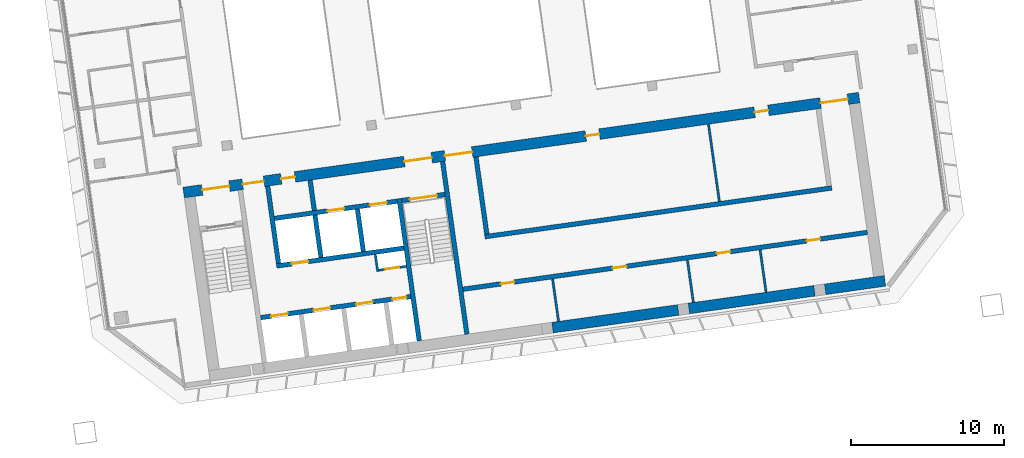
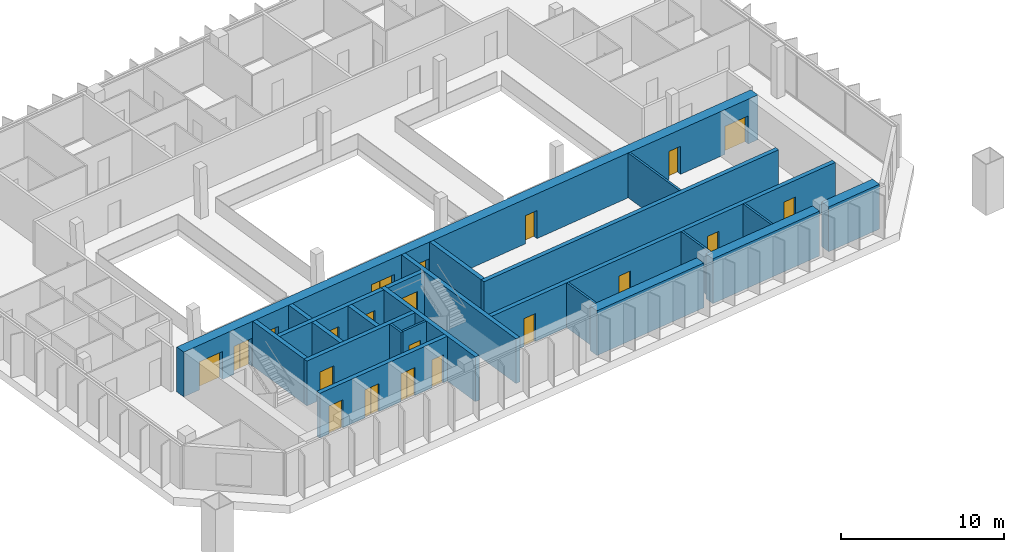
# One storey, part 18 of 23: 23 walls, 21 doors, 21 openings.
"""IFC4 building model written with IfcOpenShell, lengths in metres."""

from ifc_helpers import new_model, si_unit, direction, frame, frame_2d, origin, place, context, subcontext, project, spatial, rectangle, extrude, material, layer, layer_set, type_object, element, fill, save


model = new_model("IFC4")

# Units and contexts
model_context = context("Model", 3, precision=1e-05, world=origin(), true_north=direction((0.0, 1.0)))
body_context = subcontext(model_context, "Body", "Model", "MODEL_VIEW")
ifc_project = project(units=[si_unit("LENGTHUNIT", "METRE"), si_unit("AREAUNIT", "SQUARE_METRE"), si_unit("VOLUMEUNIT", "CUBIC_METRE"), si_unit("PLANEANGLEUNIT", "RADIAN"), si_unit("MASSUNIT", "GRAM", prefix="KILO")], contexts=[model_context])

# Site, building, storey
site_placement = place(None, origin())
site = spatial("IfcSite", under=ifc_project, at=site_placement, CompositionType="ELEMENT")
building_placement = place(site_placement, origin())
building = spatial("IfcBuilding", under=site, at=building_placement, Name="Mirante Cascada Hotel Towers", CompositionType="ELEMENT")
storey_placement = place(building_placement, frame((0.0, 0.0, 187.8)))
storey = spatial("IfcBuildingStorey", under=building, at=storey_placement, Name="L44", CompositionType="ELEMENT", Elevation=187.8)

# Wall
ifc_material_1 = material(Name="Masonry block", Category="masonry")
ifc_layer_1 = layer(ifc_material_1, 0.15)
ifc_layer_set_1 = layer_set([ifc_layer_1], Name="Core room partition 150 block EI 30")
wall_type_1 = type_object("IfcWallType", Name="Core room partition 150 block EI 30", PredefinedType="PARTITIONING", material=ifc_layer_set_1)
wall_1_placement = place(storey_placement, frame((48.2295, -12.793, 0.0), z_axis=(0.0, 0.0, 1.0), x_axis=(-0.1391935, 0.9902652, 0.0)))
element("IfcWall", 1, at=wall_1_placement, inside=storey, type_object=wall_type_1, Name="Core wall partition T2 L44 2", PredefinedType="PARTITIONING", context=body_context, shape_type="SweptSolid", body=[
    extrude(rectangle(XDim=1.1251, YDim=0.15, at=frame_2d((0.5626, 0.0))), origin(), (0.0, 0.0, 1.0), 3.35),
])

# Wall, opening, door
wall_2_placement = place(storey_placement, frame((48.2933, -12.7083, 0.0), z_axis=(0.0, 0.0, 1.0), x_axis=(0.990268, 0.1391734, 0.0)))
wall_2 = element("IfcWall", 2, at=wall_2_placement, inside=storey, type_object=wall_type_1, Name="Core wall partition T2 L44 3", PredefinedType="PARTITIONING", context=body_context, shape_type="SweptSolid", body=[
    extrude(rectangle(XDim=1.8251, YDim=0.15, at=frame_2d((0.9126, 0.0))), origin(), (0.0, 0.0, 1.0), 3.35),
])
opening_1_placement = place(wall_2_placement, frame((0.4625, 0.0, 0.0)))
opening_1 = element("IfcOpeningElement", 3, at=opening_1_placement, cuts=wall_2, Name="Opening D2-44-C15", PredefinedType="OPENING", context=body_context, shape_type="SweptSolid", body=[
    extrude(rectangle(XDim=0.9, YDim=2.1, at=frame_2d((0.45, 1.05))), frame((0.0, 0.075, 0.0), z_axis=(0.0, -1.0, 0.0), x_axis=(1.0, 0.0, 0.0)), (0.0, 0.0, 1.0), 0.15),
])
ifc_material_2 = material(Name="Hollow metal fire door leaf")
door_type_1 = type_object("IfcDoorType", Name="Fire door 900x2100 FD60", OperationType="NOTDEFINED", PredefinedType="DOOR", material=ifc_material_2)
door_1_placement = place(opening_1_placement, frame((0.9, 0.0, 0.0), z_axis=(0.0, 0.0, 1.0), x_axis=(-1.0, 0.0, 0.0)))
door_1 = element("IfcDoor", 4, at=door_1_placement, inside=storey, type_object=door_type_1, Name="Riser door T2 L44 15", OperationType="SINGLE_SWING_RIGHT", OverallHeight=2.1, OverallWidth=0.9, PredefinedType="DOOR", context=body_context, shape_type="SweptSolid", body=[
    extrude(rectangle(XDim=0.9, YDim=2.1, at=frame_2d((0.45, 1.05))), frame((0.0, 0.025, 0.0), z_axis=(0.0, -1.0, 0.0), x_axis=(1.0, 0.0, 0.0)), (0.0, 0.0, 1.0), 0.05),
])
fill(opening_1, door_1)

# Walls
wall_3_placement = place(storey_placement, frame((60.0485, -16.0548, 0.0), z_axis=(0.0, 0.0, 1.0), x_axis=(-0.139181, 0.990267, 0.0)))
element("IfcWall", 5, at=wall_3_placement, inside=storey, type_object=wall_type_1, Name="Core wall partition T2 L44 5", PredefinedType="PARTITIONING", context=body_context, shape_type="SweptSolid", body=[
    extrude(rectangle(XDim=2.8, YDim=0.15, at=frame_2d((1.4, 0.0))), origin(), (0.0, 0.0, 1.0), 3.35),
])
for number, where, z_axis, x_axis, name in (
    (6, (68.8619, -14.8162, 0.0), (0.0, 0.0, 1.0), (-0.139176, 0.9902677, 0.0), "Core wall partition T2 L44 6"),
    (7, (73.6152, -14.1482, 0.0), (0.0, 0.0, 1.0), (-0.139176, 0.9902677, 0.0), "Core wall partition T2 L44 7"),
):
    element("IfcWall", number, at=place(storey_placement, frame(where, z_axis=z_axis, x_axis=x_axis)), inside=storey, type_object=wall_type_1, Name=name, PredefinedType="PARTITIONING", context=body_context, shape_type="SweptSolid", body=[
        extrude(rectangle(XDim=2.8001, YDim=0.15, at=frame_2d((1.4, 0.0))), origin(), (0.0, 0.0, 1.0), 3.35),
    ])
wall_4_placement = place(storey_placement, frame((70.5598, -8.2157, 0.0), z_axis=(0.0, 0.0, 1.0), x_axis=(-0.1391755, 0.9902677, 0.0)))
element("IfcWall", 8, at=wall_4_placement, inside=storey, type_object=wall_type_1, Name="Core wall partition T2 L44 8", PredefinedType="PARTITIONING", context=body_context, shape_type="SweptSolid", body=[
    extrude(rectangle(XDim=5.1, YDim=0.15, at=frame_2d((2.55, 0.0))), origin(), (0.0, 0.0, 1.0), 3.35),
])
ifc_material_3 = material(Name="Masonry block", Category="masonry")
ifc_layer_2 = layer(ifc_material_3, 0.3)
ifc_layer_set_2 = layer_set([ifc_layer_2], Name="Core wall 300 block EI 120")
wall_type_2 = type_object("IfcWallType", Name="Core wall 300 block EI 120", PredefinedType="PARTITIONING", material=ifc_layer_set_2)
wall_5_placement = place(storey_placement, frame((44.0843, -8.8061, 0.0), z_axis=(0.0, 0.0, 1.0), x_axis=(-0.1391951, 0.990265, 0.0)))
element("IfcWall", 9, at=wall_5_placement, inside=storey, type_object=wall_type_2, Name="Core wall partition T2 L44 1", PredefinedType="PARTITIONING", context=body_context, shape_type="SweptSolid", body=[
    extrude(rectangle(XDim=2.0001, YDim=0.3, at=frame_2d((1.0001, 0.0))), origin(), (0.0, 0.0, 1.0), 3.35),
])

# Wall, openings, doors
wall_6_placement = place(storey_placement, frame((53.7953, -13.9547, 0.0), z_axis=(0.0, 0.0, 1.0), x_axis=(0.9902677, 0.1391758, 0.0)))
wall_6 = element("IfcWall", 10, at=wall_6_placement, inside=storey, type_object=wall_type_2, Name="Core wall partition T2 L44 4", PredefinedType="PARTITIONING", context=body_context, shape_type="SweptSolid", body=[
    extrude(rectangle(XDim=26.7001, YDim=0.3, at=frame_2d((13.35, 0.0))), origin(), (0.0, 0.0, 1.0), 3.35),
])
opening_2_placement = place(wall_6_placement, frame((2.5, 0.0, 0.0)))
opening_2 = element("IfcOpeningElement", 11, at=opening_2_placement, cuts=wall_6, Name="Opening D2-44-C17", PredefinedType="OPENING", context=body_context, shape_type="SweptSolid", body=[
    extrude(rectangle(XDim=0.9, YDim=2.1, at=frame_2d((0.45, 1.05))), frame((0.0, 0.15, 0.0), z_axis=(0.0, -1.0, 0.0), x_axis=(1.0, 0.0, 0.0)), (0.0, 0.0, 1.0), 0.3),
])
opening_3_placement = place(wall_6_placement, frame((9.9, 0.0, 0.0)))
opening_3 = element("IfcOpeningElement", 12, at=opening_3_placement, cuts=wall_6, Name="Opening D2-44-C18", PredefinedType="OPENING", context=body_context, shape_type="SweptSolid", body=[
    extrude(rectangle(XDim=0.9, YDim=2.1, at=frame_2d((0.45, 1.05))), frame((0.0, 0.15, 0.0), z_axis=(0.0, -1.0, 0.0), x_axis=(1.0, 0.0, 0.0)), (0.0, 0.0, 1.0), 0.3),
])
opening_4_placement = place(wall_6_placement, frame((16.75, 0.0, 0.0)))
opening_4 = element("IfcOpeningElement", 13, at=opening_4_placement, cuts=wall_6, Name="Opening D2-44-C19", PredefinedType="OPENING", context=body_context, shape_type="SweptSolid", body=[
    extrude(rectangle(XDim=0.9, YDim=2.1, at=frame_2d((0.45, 1.05))), frame((0.0, 0.15, 0.0), z_axis=(0.0, -1.0, 0.0), x_axis=(1.0, 0.0, 0.0)), (0.0, 0.0, 1.0), 0.3),
])
opening_5_placement = place(wall_6_placement, frame((22.7, 0.0, 0.0)))
opening_5 = element("IfcOpeningElement", 14, at=opening_5_placement, cuts=wall_6, Name="Opening D2-44-C20", PredefinedType="OPENING", context=body_context, shape_type="SweptSolid", body=[
    extrude(rectangle(XDim=0.9, YDim=2.1, at=frame_2d((0.45, 1.05))), frame((0.0, 0.15, 0.0), z_axis=(0.0, -1.0, 0.0), x_axis=(1.0, 0.0, 0.0)), (0.0, 0.0, 1.0), 0.3),
])
door_2_placement = place(opening_2_placement, frame((0.9, 0.0, 0.0), z_axis=(0.0, 0.0, 1.0), x_axis=(-1.0, 0.0, 0.0)))
door_2 = element("IfcDoor", 15, at=door_2_placement, inside=storey, type_object=door_type_1, Name="Room door T2 L44 17", OperationType="SINGLE_SWING_LEFT", OverallHeight=2.1, OverallWidth=0.9, PredefinedType="DOOR", context=body_context, shape_type="SweptSolid", body=[
    extrude(rectangle(XDim=0.9, YDim=2.1, at=frame_2d((0.45, 1.05))), frame((0.0, 0.025, 0.0), z_axis=(0.0, -1.0, 0.0), x_axis=(1.0, 0.0, 0.0)), (0.0, 0.0, 1.0), 0.05),
])
fill(opening_2, door_2)
door_3_placement = place(opening_3_placement, frame((0.9, 0.0, 0.0), z_axis=(0.0, 0.0, 1.0), x_axis=(-1.0, 0.0, 0.0)))
door_3 = element("IfcDoor", 16, at=door_3_placement, inside=storey, type_object=door_type_1, Name="Room door T2 L44 18", OperationType="SINGLE_SWING_LEFT", OverallHeight=2.1, OverallWidth=0.9, PredefinedType="DOOR", context=body_context, shape_type="SweptSolid", body=[
    extrude(rectangle(XDim=0.9, YDim=2.1, at=frame_2d((0.45, 1.05))), frame((0.0, 0.025, 0.0), z_axis=(0.0, -1.0, 0.0), x_axis=(1.0, 0.0, 0.0)), (0.0, 0.0, 1.0), 0.05),
])
fill(opening_3, door_3)
door_4_placement = place(opening_4_placement, frame((0.9, 0.0, 0.0), z_axis=(0.0, 0.0, 1.0), x_axis=(-1.0, 0.0, 0.0)))
door_4 = element("IfcDoor", 17, at=door_4_placement, inside=storey, type_object=door_type_1, Name="Room door T2 L44 19", OperationType="SINGLE_SWING_RIGHT", OverallHeight=2.1, OverallWidth=0.9, PredefinedType="DOOR", context=body_context, shape_type="SweptSolid", body=[
    extrude(rectangle(XDim=0.9, YDim=2.1, at=frame_2d((0.45, 1.05))), frame((0.0, 0.025, 0.0), z_axis=(0.0, -1.0, 0.0), x_axis=(1.0, 0.0, 0.0)), (0.0, 0.0, 1.0), 0.05),
])
fill(opening_4, door_4)
door_5_placement = place(opening_5_placement, frame((0.9, 0.0, 0.0), z_axis=(0.0, 0.0, 1.0), x_axis=(-1.0, 0.0, 0.0)))
door_5 = element("IfcDoor", 18, at=door_5_placement, inside=storey, type_object=door_type_1, Name="Room door T2 L44 20", OperationType="SINGLE_SWING_RIGHT", OverallHeight=2.1, OverallWidth=0.9, PredefinedType="DOOR", context=body_context, shape_type="SweptSolid", body=[
    extrude(rectangle(XDim=0.9, YDim=2.1, at=frame_2d((0.45, 1.05))), frame((0.0, 0.025, 0.0), z_axis=(0.0, -1.0, 0.0), x_axis=(1.0, 0.0, 0.0)), (0.0, 0.0, 1.0), 0.05),
])
fill(opening_5, door_5)

# Walls
ifc_material_4 = material(Name="Concrete C50/60", Category="concrete")
ifc_layer_3 = layer(ifc_material_4, 0.3)
ifc_layer_set_3 = layer_set([ifc_layer_3], Name="RC core wall 300 C50/60")
wall_type_3 = type_object("IfcWallType", Name="RC core wall 300 C50/60", PredefinedType="SHEAR", material=ifc_layer_set_3)
wall_7_placement = place(storey_placement, frame((50.938, -17.3352, 0.0), z_axis=(0.0, 0.0, 1.0), x_axis=(-0.1391706, 0.9902684, 0.0)))
element("IfcWall", 19, at=wall_7_placement, inside=storey, type_object=wall_type_3, Name="Core wall T2:L44:6", PredefinedType="SHEAR", context=body_context, shape_type="SweptSolid", body=[
    extrude(rectangle(XDim=9.4, YDim=0.3, at=frame_2d((4.7, 0.0))), origin(), (0.0, 0.0, 1.0), 3.35),
])
wall_8_placement = place(storey_placement, frame((54.0574, -16.8968, 0.0), z_axis=(0.0, 0.0, 1.0), x_axis=(-0.1391761, 0.9902677, 0.0)))
element("IfcWall", 20, at=wall_8_placement, inside=storey, type_object=wall_type_3, Name="Core wall T2:L44:7", PredefinedType="SHEAR", context=body_context, shape_type="SweptSolid", body=[
    extrude(rectangle(XDim=11.3999, YDim=0.3, at=frame_2d((5.7, 0.0))), origin(), (0.0, 0.0, 1.0), 3.35),
])

# Wall, opening, door
wall_9_placement = place(storey_placement, frame((49.7992, -8.1544, 0.0), z_axis=(0.0, 0.0, 1.0), x_axis=(0.9902656, 0.1391909, 0.0)))
wall_9 = element("IfcWall", 21, at=wall_9_placement, inside=storey, type_object=wall_type_3, Name="Core wall T2:L44:9", PredefinedType="SHEAR", context=body_context, shape_type="SweptSolid", body=[
    extrude(rectangle(XDim=2.85, YDim=0.3, at=frame_2d((1.425, 0.0))), origin(), (0.0, 0.0, 1.0), 3.35),
])
opening_6_placement = place(wall_9_placement, frame((0.525, 0.0, 0.0)))
opening_6 = element("IfcOpeningElement", 22, at=opening_6_placement, cuts=wall_9, Name="Opening D2-44-C09", PredefinedType="OPENING", context=body_context, shape_type="SweptSolid", body=[
    extrude(rectangle(XDim=1.8, YDim=2.1, at=frame_2d((0.9, 1.05))), frame((0.0, 0.15, 0.0), z_axis=(0.0, -1.0, 0.0), x_axis=(1.0, 0.0, 0.0)), (0.0, 0.0, 1.0), 0.3),
])
ifc_material_5 = material(Name="Hollow metal fire door leaf")
door_type_2 = type_object("IfcDoorType", Name="Double fire door 1800x2100 FD60", OperationType="DOUBLE_DOOR_SINGLE_SWING", PredefinedType="DOOR", material=ifc_material_5)
door_6_placement = place(opening_6_placement, frame((1.8, 0.0, 0.0), z_axis=(0.0, 0.0, 1.0), x_axis=(-1.0, 0.0, 0.0)))
door_6 = element("IfcDoor", 23, at=door_6_placement, inside=storey, type_object=door_type_2, Name="Stair door T2 L44 9", OperationType="DOUBLE_DOOR_SINGLE_SWING", OverallHeight=2.1, OverallWidth=1.8, PredefinedType="DOOR", context=body_context, shape_type="SweptSolid", body=[
    extrude(rectangle(XDim=0.895, YDim=2.1, at=frame_2d((0.4475, 1.05))), frame((0.0, 0.025, 0.0), z_axis=(0.0, -1.0, 0.0), x_axis=(1.0, 0.0, 0.0)), (0.0, 0.0, 1.0), 0.05),
    extrude(rectangle(XDim=0.895, YDim=2.1, at=frame_2d((1.3525, 1.05))), frame((0.0, 0.025, 0.0), z_axis=(0.0, -1.0, 0.0), x_axis=(1.0, 0.0, 0.0)), (0.0, 0.0, 1.0), 0.05),
])
fill(opening_6, door_6)

# Wall, openings, doors
wall_10_placement = place(storey_placement, frame((40.5753, -15.8126, 0.0), z_axis=(0.0, 0.0, 1.0), x_axis=(0.9902682, 0.1391725, 0.0)))
wall_10 = element("IfcWall", 24, at=wall_10_placement, inside=storey, type_object=wall_type_3, Name="Core wall T2:L44:10", PredefinedType="SHEAR", context=body_context, shape_type="SweptSolid", body=[
    extrude(rectangle(XDim=9.8999, YDim=0.3, at=frame_2d((4.95, 0.0))), origin(), (0.0, 0.0, 1.0), 3.35),
])
opening_7_placement = place(wall_10_placement, frame((0.7, 0.0, 0.0)))
opening_7 = element("IfcOpeningElement", 25, at=opening_7_placement, cuts=wall_10, Name="Opening LD", PredefinedType="OPENING", context=body_context, shape_type="SweptSolid", body=[
    extrude(rectangle(XDim=1.1, YDim=2.1, at=frame_2d((0.55, 1.05))), frame((0.0, 0.15, 0.0), z_axis=(0.0, -1.0, 0.0), x_axis=(1.0, 0.0, 0.0)), (0.0, 0.0, 1.0), 0.3),
])
opening_8_placement = place(wall_10_placement, frame((3.5, 0.0, 0.0)))
opening_8 = element("IfcOpeningElement", 26, at=opening_8_placement, cuts=wall_10, Name="Opening LD", PredefinedType="OPENING", context=body_context, shape_type="SweptSolid", body=[
    extrude(rectangle(XDim=1.1, YDim=2.1, at=frame_2d((0.55, 1.05))), frame((0.0, 0.15, 0.0), z_axis=(0.0, -1.0, 0.0), x_axis=(1.0, 0.0, 0.0)), (0.0, 0.0, 1.0), 0.3),
])
opening_9_placement = place(wall_10_placement, frame((6.3, 0.0, 0.0)))
opening_9 = element("IfcOpeningElement", 27, at=opening_9_placement, cuts=wall_10, Name="Opening LD", PredefinedType="OPENING", context=body_context, shape_type="SweptSolid", body=[
    extrude(rectangle(XDim=1.1, YDim=2.1, at=frame_2d((0.55, 1.05))), frame((0.0, 0.15, 0.0), z_axis=(0.0, -1.0, 0.0), x_axis=(1.0, 0.0, 0.0)), (0.0, 0.0, 1.0), 0.3),
])
opening_10_placement = place(wall_10_placement, frame((8.7, 0.0, 0.0)))
opening_10 = element("IfcOpeningElement", 28, at=opening_10_placement, cuts=wall_10, Name="Opening D2-44-C14", PredefinedType="OPENING", context=body_context, shape_type="SweptSolid", body=[
    extrude(rectangle(XDim=0.9, YDim=2.1, at=frame_2d((0.45, 1.05))), frame((0.0, 0.15, 0.0), z_axis=(0.0, -1.0, 0.0), x_axis=(1.0, 0.0, 0.0)), (0.0, 0.0, 1.0), 0.3),
])
door_7_placement = place(opening_10_placement, frame((0.9, 0.0, 0.0), z_axis=(0.0, 0.0, 1.0), x_axis=(-1.0, 0.0, 0.0)))
door_7 = element("IfcDoor", 29, at=door_7_placement, inside=storey, type_object=door_type_1, Name="Riser door T2 L44 14", OperationType="SINGLE_SWING_RIGHT", OverallHeight=2.1, OverallWidth=0.9, PredefinedType="DOOR", context=body_context, shape_type="SweptSolid", body=[
    extrude(rectangle(XDim=0.9, YDim=2.1, at=frame_2d((0.45, 1.05))), frame((0.0, 0.025, 0.0), z_axis=(0.0, -1.0, 0.0), x_axis=(1.0, 0.0, 0.0)), (0.0, 0.0, 1.0), 0.05),
])
fill(opening_10, door_7)
ifc_material_6 = material(Name="Stainless steel", Category="steel")
door_type_3 = type_object("IfcDoorType", Name="Lift landing door 1100x2100 EI 120", OperationType="DOUBLE_DOOR_SLIDING", PredefinedType="DOOR", material=ifc_material_6)
door_8_placement = place(opening_7_placement, origin())
door_8 = element("IfcDoor", 30, at=door_8_placement, inside=storey, type_object=door_type_3, Name="Lift landing door HR2-1 L44", OperationType="DOUBLE_DOOR_SLIDING", OverallHeight=2.1, OverallWidth=1.1, PredefinedType="DOOR", context=body_context, shape_type="SweptSolid", body=[
    extrude(rectangle(XDim=0.545, YDim=2.1, at=frame_2d((0.2725, 1.05))), frame((0.0, 0.025, 0.0), z_axis=(0.0, -1.0, 0.0), x_axis=(1.0, 0.0, 0.0)), (0.0, 0.0, 1.0), 0.05),
    extrude(rectangle(XDim=0.545, YDim=2.1, at=frame_2d((0.8275, 1.05))), frame((0.0, 0.025, 0.0), z_axis=(0.0, -1.0, 0.0), x_axis=(1.0, 0.0, 0.0)), (0.0, 0.0, 1.0), 0.05),
])
fill(opening_7, door_8)
door_9_placement = place(opening_8_placement, origin())
door_9 = element("IfcDoor", 31, at=door_9_placement, inside=storey, type_object=door_type_3, Name="Lift landing door HR2-2 L44", OperationType="DOUBLE_DOOR_SLIDING", OverallHeight=2.1, OverallWidth=1.1, PredefinedType="DOOR", context=body_context, shape_type="SweptSolid", body=[
    extrude(rectangle(XDim=0.545, YDim=2.1, at=frame_2d((0.2725, 1.05))), frame((0.0, 0.025, 0.0), z_axis=(0.0, -1.0, 0.0), x_axis=(1.0, 0.0, 0.0)), (0.0, 0.0, 1.0), 0.05),
    extrude(rectangle(XDim=0.545, YDim=2.1, at=frame_2d((0.8275, 1.05))), frame((0.0, 0.025, 0.0), z_axis=(0.0, -1.0, 0.0), x_axis=(1.0, 0.0, 0.0)), (0.0, 0.0, 1.0), 0.05),
])
fill(opening_8, door_9)
door_10_placement = place(opening_9_placement, origin())
door_10 = element("IfcDoor", 32, at=door_10_placement, inside=storey, type_object=door_type_3, Name="Lift landing door HR2-3 L44", OperationType="DOUBLE_DOOR_SLIDING", OverallHeight=2.1, OverallWidth=1.1, PredefinedType="DOOR", context=body_context, shape_type="SweptSolid", body=[
    extrude(rectangle(XDim=0.545, YDim=2.1, at=frame_2d((0.2725, 1.05))), frame((0.0, 0.025, 0.0), z_axis=(0.0, -1.0, 0.0), x_axis=(1.0, 0.0, 0.0)), (0.0, 0.0, 1.0), 0.05),
    extrude(rectangle(XDim=0.545, YDim=2.1, at=frame_2d((0.8275, 1.05))), frame((0.0, 0.025, 0.0), z_axis=(0.0, -1.0, 0.0), x_axis=(1.0, 0.0, 0.0)), (0.0, 0.0, 1.0), 0.05),
])
fill(opening_9, door_10)

# Wall, opening, door
wall_11_placement = place(storey_placement, frame((41.6153, -12.435, 0.0), z_axis=(0.0, 0.0, 1.0), x_axis=(0.9902691, 0.139166, 0.0)))
wall_11 = element("IfcWall", 33, at=wall_11_placement, inside=storey, type_object=wall_type_3, Name="Core wall T2:L44:11", PredefinedType="SHEAR", context=body_context, shape_type="SweptSolid", body=[
    extrude(rectangle(XDim=8.4, YDim=0.3, at=frame_2d((4.2, 0.0))), origin(), (0.0, 0.0, 1.0), 3.35),
])
opening_11_placement = place(wall_11_placement, frame((1.0, 0.0, 0.0)))
opening_11 = element("IfcOpeningElement", 34, at=opening_11_placement, cuts=wall_11, Name="Opening LD", PredefinedType="OPENING", context=body_context, shape_type="SweptSolid", body=[
    extrude(rectangle(XDim=1.1, YDim=2.1, at=frame_2d((0.55, 1.05))), frame((0.0, 0.15, 0.0), z_axis=(0.0, -1.0, 0.0), x_axis=(1.0, 0.0, 0.0)), (0.0, 0.0, 1.0), 0.3),
])
door_11_placement = place(opening_11_placement, origin())
door_11 = element("IfcDoor", 35, at=door_11_placement, inside=storey, type_object=door_type_3, Name="Lift landing door HR2-4 L44", OperationType="DOUBLE_DOOR_SLIDING", OverallHeight=2.1, OverallWidth=1.1, PredefinedType="DOOR", context=body_context, shape_type="SweptSolid", body=[
    extrude(rectangle(XDim=0.545, YDim=2.1, at=frame_2d((0.2725, 1.05))), frame((0.0, 0.025, 0.0), z_axis=(0.0, -1.0, 0.0), x_axis=(1.0, 0.0, 0.0)), (0.0, 0.0, 1.0), 0.05),
    extrude(rectangle(XDim=0.545, YDim=2.1, at=frame_2d((0.8275, 1.05))), frame((0.0, 0.025, 0.0), z_axis=(0.0, -1.0, 0.0), x_axis=(1.0, 0.0, 0.0)), (0.0, 0.0, 1.0), 0.05),
])
fill(opening_11, door_11)

# Wall, openings, doors
wall_12_placement = place(storey_placement, frame((41.481, -9.3234, 0.0), z_axis=(0.0, 0.0, 1.0), x_axis=(0.9902679, 0.1391741, 0.0)))
wall_12 = element("IfcWall", 36, at=wall_12_placement, inside=storey, type_object=wall_type_3, Name="Core wall T2:L44:12", PredefinedType="SHEAR", context=body_context, shape_type="SweptSolid", body=[
    extrude(rectangle(XDim=8.0999, YDim=0.3, at=frame_2d((4.05, 0.0))), origin(), (0.0, 0.0, 1.0), 3.35),
])
opening_12_placement = place(wall_12_placement, frame((3.5, 0.0, 0.0)))
opening_12 = element("IfcOpeningElement", 37, at=opening_12_placement, cuts=wall_12, Name="Opening LD", PredefinedType="OPENING", context=body_context, shape_type="SweptSolid", body=[
    extrude(rectangle(XDim=1.1, YDim=2.1, at=frame_2d((0.55, 1.05))), frame((0.0, 0.15, 0.0), z_axis=(0.0, -1.0, 0.0), x_axis=(1.0, 0.0, 0.0)), (0.0, 0.0, 1.0), 0.3),
])
opening_13_placement = place(wall_12_placement, frame((6.3, 0.0, 0.0)))
opening_13 = element("IfcOpeningElement", 38, at=opening_13_placement, cuts=wall_12, Name="Opening LD", PredefinedType="OPENING", context=body_context, shape_type="SweptSolid", body=[
    extrude(rectangle(XDim=1.1, YDim=2.1, at=frame_2d((0.55, 1.05))), frame((0.0, 0.15, 0.0), z_axis=(0.0, -1.0, 0.0), x_axis=(1.0, 0.0, 0.0)), (0.0, 0.0, 1.0), 0.3),
])
door_12_placement = place(opening_12_placement, origin())
door_12 = element("IfcDoor", 39, at=door_12_placement, inside=storey, type_object=door_type_3, Name="Lift landing door FF3 L44", OperationType="DOUBLE_DOOR_SLIDING", OverallHeight=2.1, OverallWidth=1.1, PredefinedType="DOOR", context=body_context, shape_type="SweptSolid", body=[
    extrude(rectangle(XDim=0.545, YDim=2.1, at=frame_2d((0.2725, 1.05))), frame((0.0, 0.025, 0.0), z_axis=(0.0, -1.0, 0.0), x_axis=(1.0, 0.0, 0.0)), (0.0, 0.0, 1.0), 0.05),
    extrude(rectangle(XDim=0.545, YDim=2.1, at=frame_2d((0.8275, 1.05))), frame((0.0, 0.025, 0.0), z_axis=(0.0, -1.0, 0.0), x_axis=(1.0, 0.0, 0.0)), (0.0, 0.0, 1.0), 0.05),
])
fill(opening_12, door_12)
door_13_placement = place(opening_13_placement, origin())
door_13 = element("IfcDoor", 40, at=door_13_placement, inside=storey, type_object=door_type_3, Name="Lift landing door FF4 L44", OperationType="DOUBLE_DOOR_SLIDING", OverallHeight=2.1, OverallWidth=1.1, PredefinedType="DOOR", context=body_context, shape_type="SweptSolid", body=[
    extrude(rectangle(XDim=0.545, YDim=2.1, at=frame_2d((0.2725, 1.05))), frame((0.0, 0.025, 0.0), z_axis=(0.0, -1.0, 0.0), x_axis=(1.0, 0.0, 0.0)), (0.0, 0.0, 1.0), 0.05),
    extrude(rectangle(XDim=0.545, YDim=2.1, at=frame_2d((0.8275, 1.05))), frame((0.0, 0.025, 0.0), z_axis=(0.0, -1.0, 0.0), x_axis=(1.0, 0.0, 0.0)), (0.0, 0.0, 1.0), 0.05),
])
fill(opening_13, door_13)

# Walls
for number, where, z_axis, x_axis, name in (
    (41, (44.5157, -11.8759, 0.0), (0.0, 0.0, 1.0), (-0.139181, 0.990267, 0.0), "Core wall T2:L44:16"),
    (42, (47.2885, -11.4862, 0.0), (0.0, 0.0, 1.0), (-0.139181, 0.990267, 0.0), "Core wall T2:L44:17"),
):
    element("IfcWall", number, at=place(storey_placement, frame(where, z_axis=z_axis, x_axis=x_axis)), inside=storey, type_object=wall_type_3, Name=name, PredefinedType="SHEAR", context=body_context, shape_type="SweptSolid", body=[
        extrude(rectangle(XDim=2.8, YDim=0.3, at=frame_2d((1.4, 0.0))), origin(), (0.0, 0.0, 1.0), 3.35),
    ])
wall_13_placement = place(storey_placement, frame((41.743, -12.2656, 0.0), z_axis=(0.0, 0.0, 1.0), x_axis=(-0.1391755, 0.9902677, 0.0)))
element("IfcWall", 43, at=wall_13_placement, inside=storey, type_object=wall_type_3, Name="Core wall T2:L44:18", PredefinedType="SHEAR", context=body_context, shape_type="SweptSolid", body=[
    extrude(rectangle(XDim=5.1, YDim=0.3, at=frame_2d((2.55, 0.0))), origin(), (0.0, 0.0, 1.0), 3.35),
])
wall_14_placement = place(storey_placement, frame((55.2315, -10.5214, 0.0), z_axis=(0.0, 0.0, 1.0), x_axis=(0.9902678, 0.1391749, 0.0)))
element("IfcWall", 44, at=wall_14_placement, inside=storey, type_object=wall_type_3, Name="Core wall T2:L44:26", PredefinedType="SHEAR", context=body_context, shape_type="SweptSolid", body=[
    extrude(rectangle(XDim=22.9, YDim=0.3, at=frame_2d((11.45, 0.0))), origin(), (0.0, 0.0, 1.0), 3.35),
])
wall_15_placement = place(storey_placement, frame((55.3592, -10.352, 0.0), z_axis=(0.0, 0.0, 1.0), x_axis=(-0.1391755, 0.9902677, 0.0)))
element("IfcWall", 45, at=wall_15_placement, inside=storey, type_object=wall_type_3, Name="Core wall T2:L44:27", PredefinedType="SHEAR", context=body_context, shape_type="SweptSolid", body=[
    extrude(rectangle(XDim=5.1, YDim=0.3, at=frame_2d((2.55, 0.0))), origin(), (0.0, 0.0, 1.0), 3.35),
])
ifc_material_7 = material(Name="Concrete C50/60", Category="concrete")
ifc_layer_4 = layer(ifc_material_7, 0.7)
ifc_layer_set_4 = layer_set([ifc_layer_4], Name="RC core wall 700 C50/60")
wall_type_4 = type_object("IfcWallType", Name="RC core wall 700 C50/60", PredefinedType="SHEAR", material=ifc_layer_set_4)
for number, where, z_axis, x_axis, name in (
    (46, (59.6516, -16.4641, 0.0), (0.0, 0.0, 1.0), (0.990267, 0.139181, 0.0), "Core wall T2:L44:1.4"),
    (47, (68.564, -15.2115, 0.0), (0.0, 0.0, 1.0), (0.9902686, 0.1391692, 0.0), "Core wall T2:L44:1.5"),
):
    element("IfcWall", number, at=place(storey_placement, frame(where, z_axis=z_axis, x_axis=x_axis)), inside=storey, type_object=wall_type_4, Name=name, PredefinedType="SHEAR", context=body_context, shape_type="SweptSolid", body=[
        extrude(rectangle(XDim=8.3, YDim=0.7, at=frame_2d((4.15, 0.0))), origin(), (0.0, 0.0, 1.0), 3.35),
    ])
wall_16_placement = place(storey_placement, frame((77.4764, -13.9589, 0.0), z_axis=(0.0, 0.0, 1.0), x_axis=(0.9902694, 0.1391633, 0.0)))
element("IfcWall", 48, at=wall_16_placement, inside=storey, type_object=wall_type_4, Name="Core wall T2:L44:1.6", PredefinedType="SHEAR", context=body_context, shape_type="SweptSolid", body=[
    extrude(rectangle(XDim=3.95, YDim=0.7, at=frame_2d((1.975, 0.0))), origin(), (0.0, 0.0, 1.0), 3.35),
])

# Wall, openings, doors
wall_17_placement = place(storey_placement, frame((35.538, -7.6341, 0.0), z_axis=(0.0, 0.0, 1.0), x_axis=(0.9902682, 0.1391725, 0.0)))
wall_17 = element("IfcWall", 49, at=wall_17_placement, inside=storey, type_object=wall_type_4, Name="Core wall T2:L44:2", PredefinedType="SHEAR", context=body_context, shape_type="SweptSolid", body=[
    extrude(rectangle(XDim=44.6, YDim=0.7, at=frame_2d((22.3, 0.0))), origin(), (0.0, 0.0, 1.0), 3.35),
])
opening_14_placement = place(wall_17_placement, frame((1.225, 0.0, 0.0)))
opening_14 = element("IfcOpeningElement", 50, at=opening_14_placement, cuts=wall_17, Name="Opening D2-44-C08", PredefinedType="OPENING", context=body_context, shape_type="SweptSolid", body=[
    extrude(rectangle(XDim=1.8, YDim=2.1, at=frame_2d((0.9, 1.05))), frame((0.0, 0.35, 0.0), z_axis=(0.0, -1.0, 0.0), x_axis=(1.0, 0.0, 0.0)), (0.0, 0.0, 1.0), 0.7),
])
opening_15_placement = place(wall_17_placement, frame((14.575, 0.0, 0.0)))
opening_15 = element("IfcOpeningElement", 51, at=opening_15_placement, cuts=wall_17, Name="Opening D2-44-C10", PredefinedType="OPENING", context=body_context, shape_type="SweptSolid", body=[
    extrude(rectangle(XDim=1.8, YDim=2.1, at=frame_2d((0.9, 1.05))), frame((0.0, 0.35, 0.0), z_axis=(0.0, -1.0, 0.0), x_axis=(1.0, 0.0, 0.0)), (0.0, 0.0, 1.0), 0.7),
])
opening_16_placement = place(wall_17_placement, frame((3.9, 0.0, 0.0)))
opening_16 = element("IfcOpeningElement", 52, at=opening_16_placement, cuts=wall_17, Name="Opening D2-44-C11", PredefinedType="OPENING", context=body_context, shape_type="SweptSolid", body=[
    extrude(rectangle(XDim=1.4, YDim=2.1, at=frame_2d((0.7, 1.05))), frame((0.0, 0.35, 0.0), z_axis=(0.0, -1.0, 0.0), x_axis=(1.0, 0.0, 0.0)), (0.0, 0.0, 1.0), 0.7),
])
opening_17_placement = place(wall_17_placement, frame((17.25, 0.0, 0.0)))
opening_17 = element("IfcOpeningElement", 53, at=opening_17_placement, cuts=wall_17, Name="Opening D2-44-C12", PredefinedType="OPENING", context=body_context, shape_type="SweptSolid", body=[
    extrude(rectangle(XDim=1.8, YDim=2.1, at=frame_2d((0.9, 1.05))), frame((0.0, 0.35, 0.0), z_axis=(0.0, -1.0, 0.0), x_axis=(1.0, 0.0, 0.0)), (0.0, 0.0, 1.0), 0.7),
])
opening_18_placement = place(wall_17_placement, frame((42.05, 0.0, 0.0)))
opening_18 = element("IfcOpeningElement", 54, at=opening_18_placement, cuts=wall_17, Name="Opening D2-44-C13", PredefinedType="OPENING", context=body_context, shape_type="SweptSolid", body=[
    extrude(rectangle(XDim=1.8, YDim=2.1, at=frame_2d((0.9, 1.05))), frame((0.0, 0.35, 0.0), z_axis=(0.0, -1.0, 0.0), x_axis=(1.0, 0.0, 0.0)), (0.0, 0.0, 1.0), 0.7),
])
opening_19_placement = place(wall_17_placement, frame((6.45, 0.0, 0.0)))
opening_19 = element("IfcOpeningElement", 55, at=opening_19_placement, cuts=wall_17, Name="Opening D2-44-C16", PredefinedType="OPENING", context=body_context, shape_type="SweptSolid", body=[
    extrude(rectangle(XDim=0.9, YDim=2.1, at=frame_2d((0.45, 1.05))), frame((0.0, 0.35, 0.0), z_axis=(0.0, -1.0, 0.0), x_axis=(1.0, 0.0, 0.0)), (0.0, 0.0, 1.0), 0.7),
])
opening_20_placement = place(wall_17_placement, frame((26.55, 0.0, 0.0)))
opening_20 = element("IfcOpeningElement", 56, at=opening_20_placement, cuts=wall_17, Name="Opening D2-44-C21", PredefinedType="OPENING", context=body_context, shape_type="SweptSolid", body=[
    extrude(rectangle(XDim=0.9, YDim=2.1, at=frame_2d((0.45, 1.05))), frame((0.0, 0.35, 0.0), z_axis=(0.0, -1.0, 0.0), x_axis=(1.0, 0.0, 0.0)), (0.0, 0.0, 1.0), 0.7),
])
opening_21_placement = place(wall_17_placement, frame((37.7, 0.0, 0.0)))
opening_21 = element("IfcOpeningElement", 57, at=opening_21_placement, cuts=wall_17, Name="Opening D2-44-C22", PredefinedType="OPENING", context=body_context, shape_type="SweptSolid", body=[
    extrude(rectangle(XDim=0.9, YDim=2.1, at=frame_2d((0.45, 1.05))), frame((0.0, 0.35, 0.0), z_axis=(0.0, -1.0, 0.0), x_axis=(1.0, 0.0, 0.0)), (0.0, 0.0, 1.0), 0.7),
])
ifc_material_8 = material(Name="Hollow metal fire door leaf")
door_type_4 = type_object("IfcDoorType", Name="Double fire door 1400x2100 FD60", OperationType="DOUBLE_DOOR_SINGLE_SWING", PredefinedType="DOOR", material=ifc_material_8)
door_14_placement = place(opening_16_placement, origin())
door_14 = element("IfcDoor", 58, at=door_14_placement, inside=storey, type_object=door_type_4, Name="Exit door to gallery T2 L44 11", OperationType="DOUBLE_DOOR_SINGLE_SWING", OverallHeight=2.1, OverallWidth=1.4, PredefinedType="DOOR", context=body_context, shape_type="SweptSolid", body=[
    extrude(rectangle(XDim=0.695, YDim=2.1, at=frame_2d((0.3475, 1.05))), frame((0.0, 0.025, 0.0), z_axis=(0.0, -1.0, 0.0), x_axis=(1.0, 0.0, 0.0)), (0.0, 0.0, 1.0), 0.05),
    extrude(rectangle(XDim=0.695, YDim=2.1, at=frame_2d((1.0525, 1.05))), frame((0.0, 0.025, 0.0), z_axis=(0.0, -1.0, 0.0), x_axis=(1.0, 0.0, 0.0)), (0.0, 0.0, 1.0), 0.05),
])
fill(opening_16, door_14)
door_15_placement = place(opening_14_placement, frame((1.8, 0.0, 0.0), z_axis=(0.0, 0.0, 1.0), x_axis=(-1.0, 0.0, 0.0)))
door_15 = element("IfcDoor", 59, at=door_15_placement, inside=storey, type_object=door_type_2, Name="Exit door to gallery T2 L44 8", OperationType="DOUBLE_DOOR_SINGLE_SWING", OverallHeight=2.1, OverallWidth=1.8, PredefinedType="DOOR", context=body_context, shape_type="SweptSolid", body=[
    extrude(rectangle(XDim=0.895, YDim=2.1, at=frame_2d((0.4475, 1.05))), frame((0.0, 0.025, 0.0), z_axis=(0.0, -1.0, 0.0), x_axis=(1.0, 0.0, 0.0)), (0.0, 0.0, 1.0), 0.05),
    extrude(rectangle(XDim=0.895, YDim=2.1, at=frame_2d((1.3525, 1.05))), frame((0.0, 0.025, 0.0), z_axis=(0.0, -1.0, 0.0), x_axis=(1.0, 0.0, 0.0)), (0.0, 0.0, 1.0), 0.05),
])
fill(opening_14, door_15)
door_16_placement = place(opening_15_placement, frame((1.8, 0.0, 0.0), z_axis=(0.0, 0.0, 1.0), x_axis=(-1.0, 0.0, 0.0)))
door_16 = element("IfcDoor", 60, at=door_16_placement, inside=storey, type_object=door_type_2, Name="Exit door to gallery T2 L44 10", OperationType="DOUBLE_DOOR_SINGLE_SWING", OverallHeight=2.1, OverallWidth=1.8, PredefinedType="DOOR", context=body_context, shape_type="SweptSolid", body=[
    extrude(rectangle(XDim=0.895, YDim=2.1, at=frame_2d((0.4475, 1.05))), frame((0.0, 0.025, 0.0), z_axis=(0.0, -1.0, 0.0), x_axis=(1.0, 0.0, 0.0)), (0.0, 0.0, 1.0), 0.05),
    extrude(rectangle(XDim=0.895, YDim=2.1, at=frame_2d((1.3525, 1.05))), frame((0.0, 0.025, 0.0), z_axis=(0.0, -1.0, 0.0), x_axis=(1.0, 0.0, 0.0)), (0.0, 0.0, 1.0), 0.05),
])
fill(opening_15, door_16)
door_17_placement = place(opening_17_placement, origin())
door_17 = element("IfcDoor", 61, at=door_17_placement, inside=storey, type_object=door_type_2, Name="Exit door to gallery T2 L44 12", OperationType="DOUBLE_DOOR_SINGLE_SWING", OverallHeight=2.1, OverallWidth=1.8, PredefinedType="DOOR", context=body_context, shape_type="SweptSolid", body=[
    extrude(rectangle(XDim=0.895, YDim=2.1, at=frame_2d((0.4475, 1.05))), frame((0.0, 0.025, 0.0), z_axis=(0.0, -1.0, 0.0), x_axis=(1.0, 0.0, 0.0)), (0.0, 0.0, 1.0), 0.05),
    extrude(rectangle(XDim=0.895, YDim=2.1, at=frame_2d((1.3525, 1.05))), frame((0.0, 0.025, 0.0), z_axis=(0.0, -1.0, 0.0), x_axis=(1.0, 0.0, 0.0)), (0.0, 0.0, 1.0), 0.05),
])
fill(opening_17, door_17)
door_18_placement = place(opening_18_placement, origin())
door_18 = element("IfcDoor", 62, at=door_18_placement, inside=storey, type_object=door_type_2, Name="Exit door to gallery T2 L44 13", OperationType="DOUBLE_DOOR_SINGLE_SWING", OverallHeight=2.1, OverallWidth=1.8, PredefinedType="DOOR", context=body_context, shape_type="SweptSolid", body=[
    extrude(rectangle(XDim=0.895, YDim=2.1, at=frame_2d((0.4475, 1.05))), frame((0.0, 0.025, 0.0), z_axis=(0.0, -1.0, 0.0), x_axis=(1.0, 0.0, 0.0)), (0.0, 0.0, 1.0), 0.05),
    extrude(rectangle(XDim=0.895, YDim=2.1, at=frame_2d((1.3525, 1.05))), frame((0.0, 0.025, 0.0), z_axis=(0.0, -1.0, 0.0), x_axis=(1.0, 0.0, 0.0)), (0.0, 0.0, 1.0), 0.05),
])
fill(opening_18, door_18)
door_19_placement = place(opening_19_placement, frame((0.9, 0.0, 0.0), z_axis=(0.0, 0.0, 1.0), x_axis=(-1.0, 0.0, 0.0)))
door_19 = element("IfcDoor", 63, at=door_19_placement, inside=storey, type_object=door_type_1, Name="Room door T2 L44 16", OperationType="SINGLE_SWING_LEFT", OverallHeight=2.1, OverallWidth=0.9, PredefinedType="DOOR", context=body_context, shape_type="SweptSolid", body=[
    extrude(rectangle(XDim=0.9, YDim=2.1, at=frame_2d((0.45, 1.05))), frame((0.0, 0.025, 0.0), z_axis=(0.0, -1.0, 0.0), x_axis=(1.0, 0.0, 0.0)), (0.0, 0.0, 1.0), 0.05),
])
fill(opening_19, door_19)
door_20_placement = place(opening_20_placement, frame((0.9, 0.0, 0.0), z_axis=(0.0, 0.0, 1.0), x_axis=(-1.0, 0.0, 0.0)))
door_20 = element("IfcDoor", 64, at=door_20_placement, inside=storey, type_object=door_type_1, Name="Room door T2 L44 21", OperationType="SINGLE_SWING_RIGHT", OverallHeight=2.1, OverallWidth=0.9, PredefinedType="DOOR", context=body_context, shape_type="SweptSolid", body=[
    extrude(rectangle(XDim=0.9, YDim=2.1, at=frame_2d((0.45, 1.05))), frame((0.0, 0.025, 0.0), z_axis=(0.0, -1.0, 0.0), x_axis=(1.0, 0.0, 0.0)), (0.0, 0.0, 1.0), 0.05),
])
fill(opening_20, door_20)
door_21_placement = place(opening_21_placement, frame((0.9, 0.0, 0.0), z_axis=(0.0, 0.0, 1.0), x_axis=(-1.0, 0.0, 0.0)))
door_21 = element("IfcDoor", 65, at=door_21_placement, inside=storey, type_object=door_type_1, Name="Room door T2 L44 22", OperationType="SINGLE_SWING_RIGHT", OverallHeight=2.1, OverallWidth=0.9, PredefinedType="DOOR", context=body_context, shape_type="SweptSolid", body=[
    extrude(rectangle(XDim=0.9, YDim=2.1, at=frame_2d((0.45, 1.05))), frame((0.0, 0.025, 0.0), z_axis=(0.0, -1.0, 0.0), x_axis=(1.0, 0.0, 0.0)), (0.0, 0.0, 1.0), 0.05),
])
fill(opening_21, door_21)

save(model, "model.ifc")
